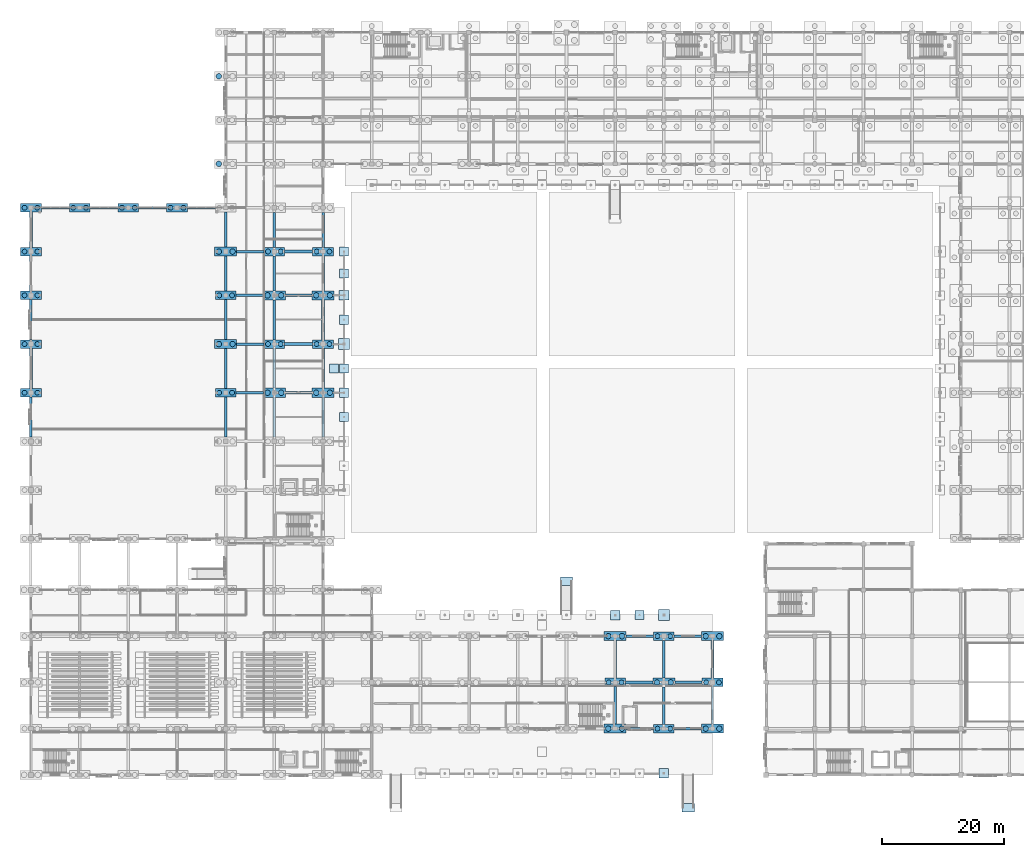
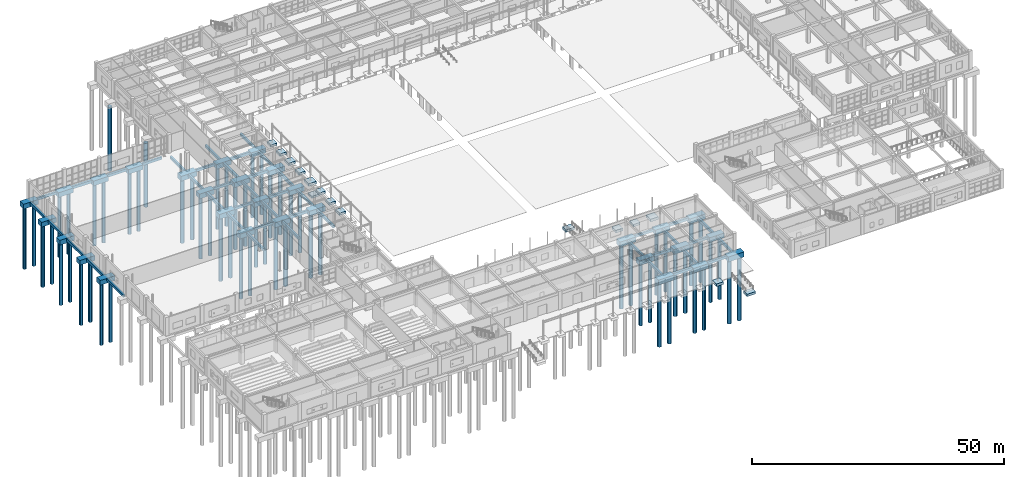
# One storey, part 3 of 166: 88 footings, 60 piles.
"""IFC4 building model written with IfcOpenShell, lengths in metres."""

from ifc_helpers import new_model, si_unit, direction, frame, origin, origin_2d, place, context, subcontext, project, spatial, rectangle, circle, extrude, material, material_profile, profile_set, type_object, element, save


model = new_model("IFC4")

# Units and contexts
model_context = context("Model", 3, precision=1e-05, world=origin(), true_north=direction((0.0, 1.0)))
body_context = subcontext(model_context, "Body", "Model", "MODEL_VIEW")
ifc_project = project(units=[si_unit("LENGTHUNIT", "METRE"), si_unit("AREAUNIT", "SQUARE_METRE"), si_unit("VOLUMEUNIT", "CUBIC_METRE"), si_unit("PLANEANGLEUNIT", "RADIAN"), si_unit("MASSUNIT", "GRAM", prefix="KILO")], contexts=[model_context])

# Site, building, storey
site_placement = place(None, origin())
site = spatial("IfcSite", under=ifc_project, at=site_placement, CompositionType="ELEMENT")
building_placement = place(site_placement, origin())
building = spatial("IfcBuilding", under=site, at=building_placement, Name="Kharva Crest Polytechnic", CompositionType="ELEMENT")
storey_placement = place(building_placement, origin())
storey = spatial("IfcBuildingStorey", under=building, at=storey_placement, Name="L00", CompositionType="ELEMENT", Elevation=0.0)

# Footings
ifc_material = material(Name="Concrete C35/45", Category="concrete")
footing_type_1 = type_object("IfcFootingType", Name="FTG-GB-400X600", PredefinedType="FOOTING_BEAM", material=ifc_material)
for number, where, z_axis, x_axis, name in (
    (1, (107.949951171875, 7.60009765625, -1.005126953125), (0.0, 0.0, 1.0), (1.0, 0.0, 0.0), "L00 Ground Tie Beam B/14-15"),
    (2, (100.050048828125, 22.800048828125, -1.005126953125), (0.0, 0.0, 1.0), (1.0, 0.0, 0.0), "L00 Ground Tie Beam D/13-14"),
    (3, (35.949951171875, 62.800048828125, -1.005126953125), (0.0, 0.0, 1.0), (1.0, 0.0, 0.0), "L00 Ground Tie Beam J/5-6"),
    (4, (36.050048828125, 70.800048828125, -1.005126953125), (0.0, 0.0, 1.0), (1.0, 0.0, 0.0), "L00 Ground Tie Beam K/5-6"),
    (5, (35.949951171875, 78.800048828125, -1.005126953125), (0.0, 0.0, 1.0), (1.0, 0.0, 0.0), "L00 Ground Tie Beam L/5-6"),
    (6, (36.050048828125, 86.0, -1.005126953125), (0.0, 0.0, 1.0), (1.0, 0.0, 0.0), "L00 Ground Tie Beam M/5-6"),
):
    element("IfcFooting", number, at=place(storey_placement, frame(where, z_axis=z_axis, x_axis=x_axis)), inside=storey, type_object=footing_type_1, Name=name, PredefinedType="FOOTING_BEAM", context=body_context, shape_type="SweptSolid", body=[
        extrude(rectangle(XDim=4.5, YDim=0.39990234375, at=origin_2d()), origin(), (0.0, 0.0, 1.0), 0.60009765625),
    ])
for number, where, z_axis, x_axis, name in (
    (7, (4.0, 93.199951171875, -1.005126953125), (0.0, 0.0, 1.0), (1.0, 0.0, 0.0), "L00 Ground Tie Beam N/1-2"),
    (8, (28.0, 93.199951171875, -1.005126953125), (0.0, 0.0, 1.0), (1.0, 0.0, 0.0), "L00 Ground Tie Beam N/4-5"),
):
    element("IfcFooting", number, at=place(storey_placement, frame(where, z_axis=z_axis, x_axis=x_axis)), inside=storey, type_object=footing_type_1, Name=name, PredefinedType="FOOTING_BEAM", context=body_context, shape_type="SweptSolid", body=[
        extrude(rectangle(XDim=4.60009765625, YDim=0.39990234375, at=origin_2d()), origin(), (0.0, 0.0, 1.0), 0.60009765625),
    ])
footing_1_placement = place(storey_placement, frame((0.0, 58.800048828125, -1.005126953125), z_axis=(0.0, 0.0, 1.0), x_axis=(0.0, 1.0, 0.0)))
element("IfcFooting", 9, at=footing_1_placement, inside=storey, type_object=footing_type_1, Name="L00 Ground Tie Beam 1/H-J", PredefinedType="FOOTING_BEAM", context=body_context, shape_type="SweptSolid", body=[
    extrude(rectangle(XDim=6.60009765625, YDim=0.39990234375, at=origin_2d()), origin(), (0.0, 0.0, 1.0), 0.60009765625),
])
footing_2_placement = place(storey_placement, frame((0.0, 82.39990234375, -1.005126953125), z_axis=(0.0, 0.0, 1.0), x_axis=(0.0, 1.0, 0.0)))
element("IfcFooting", 10, at=footing_2_placement, inside=storey, type_object=footing_type_1, Name="L00 Ground Tie Beam 1/L-M", PredefinedType="FOOTING_BEAM", context=body_context, shape_type="SweptSolid", body=[
    extrude(rectangle(XDim=5.800048828125, YDim=0.39990234375, at=origin_2d()), origin(), (0.0, 0.0, 1.0), 0.60009765625),
])
footing_3_placement = place(storey_placement, frame((32.0, 66.77490234375, -1.005126953125), z_axis=(0.0, 0.0, 1.0), x_axis=(0.0, 1.0, 0.0)))
element("IfcFooting", 11, at=footing_3_placement, inside=storey, type_object=footing_type_1, Name="L00 Ground Tie Beam 5/J-K", PredefinedType="FOOTING_BEAM", context=body_context, shape_type="SweptSolid", body=[
    extrude(rectangle(XDim=6.550048828125, YDim=0.39990234375, at=origin_2d()), origin(), (0.0, 0.0, 1.0), 0.60009765625),
])
footing_4_placement = place(storey_placement, frame((32.0, 89.625, -1.005126953125), z_axis=(0.0, 0.0, 1.0), x_axis=(0.0, 1.0, 0.0)))
element("IfcFooting", 12, at=footing_4_placement, inside=storey, type_object=footing_type_1, Name="L00 Ground Tie Beam 5/M-N", PredefinedType="FOOTING_BEAM", context=body_context, shape_type="SweptSolid", body=[
    extrude(rectangle(XDim=5.75, YDim=0.39990234375, at=origin_2d()), origin(), (0.0, 0.0, 1.0), 0.60009765625),
])
for number, where, z_axis, x_axis, name in (
    (13, (40.0, 74.77490234375, -1.005126953125), (0.0, 0.0, 1.0), (0.0, 1.0, 0.0), "L00 Ground Tie Beam 6/K-L"),
    (14, (48.0, 66.824951171875, -1.005126953125), (0.0, 0.0, 1.0), (0.0, 1.0, 0.0), "L00 Ground Tie Beam 7/J-K"),
):
    element("IfcFooting", number, at=place(storey_placement, frame(where, z_axis=z_axis, x_axis=x_axis)), inside=storey, type_object=footing_type_1, Name=name, PredefinedType="FOOTING_BEAM", context=body_context, shape_type="SweptSolid", body=[
        extrude(rectangle(XDim=6.550048828125, YDim=0.39990234375, at=origin_2d()), origin(), (0.0, 0.0, 1.0), 0.60009765625),
    ])
footing_5_placement = place(storey_placement, frame((48.0, 89.574951171875, -1.005126953125), z_axis=(0.0, 0.0, 1.0), x_axis=(0.0, 1.0, 0.0)))
element("IfcFooting", 15, at=footing_5_placement, inside=storey, type_object=footing_type_1, Name="L00 Ground Tie Beam 7/M-N", PredefinedType="FOOTING_BEAM", context=body_context, shape_type="SweptSolid", body=[
    extrude(rectangle(XDim=5.75, YDim=0.39990234375, at=origin_2d()), origin(), (0.0, 0.0, 1.0), 0.60009765625),
])
for number, where, z_axis, x_axis, name in (
    (16, (96.0, 18.97509765625, -1.005126953125), (0.0, 0.0, 1.0), (0.0, 1.0, 0.0), "L00 Ground Tie Beam 13/C-D"),
    (17, (112.0, 11.425048828125, -1.005126953125), (0.0, 0.0, 1.0), (0.0, 1.0, 0.0), "L00 Ground Tie Beam 15/B-C"),
):
    element("IfcFooting", number, at=place(storey_placement, frame(where, z_axis=z_axis, x_axis=x_axis)), inside=storey, type_object=footing_type_1, Name=name, PredefinedType="FOOTING_BEAM", context=body_context, shape_type="SweptSolid", body=[
        extrude(rectangle(XDim=6.14990234375, YDim=0.39990234375, at=origin_2d()), origin(), (0.0, 0.0, 1.0), 0.60009765625),
    ])
footing_type_2 = type_object("IfcFootingType", Name="FTG-GB-420X620", PredefinedType="FOOTING_BEAM", material=ifc_material)
for number, where, z_axis, x_axis, name in (
    (18, (100.050048828125, 7.60009765625, -1.025146484375), (0.0, 0.0, 1.0), (1.0, 0.0, 0.0), "L00 Ground Tie Beam B/13-14"),
    (19, (108.050048828125, 15.199951171875, -1.025146484375), (0.0, 0.0, 1.0), (1.0, 0.0, 0.0), "L00 Ground Tie Beam C/14-15"),
):
    element("IfcFooting", number, at=place(storey_placement, frame(where, z_axis=z_axis, x_axis=x_axis)), inside=storey, type_object=footing_type_2, Name=name, PredefinedType="FOOTING_BEAM", context=body_context, shape_type="SweptSolid", body=[
        extrude(rectangle(XDim=4.5, YDim=0.419921875, at=origin_2d()), origin(), (0.0, 0.0, 1.0), 0.6201171875),
    ])
footing_6_placement = place(storey_placement, frame((20.0, 93.199951171875, -1.025146484375), z_axis=(0.0, 0.0, 1.0), x_axis=(1.0, 0.0, 0.0)))
element("IfcFooting", 20, at=footing_6_placement, inside=storey, type_object=footing_type_2, Name="L00 Ground Tie Beam N/3-4", PredefinedType="FOOTING_BEAM", context=body_context, shape_type="SweptSolid", body=[
    extrude(rectangle(XDim=4.60009765625, YDim=0.419921875, at=origin_2d()), origin(), (0.0, 0.0, 1.0), 0.6201171875),
])
footing_7_placement = place(storey_placement, frame((0.0, 74.800048828125, -1.025146484375), z_axis=(0.0, 0.0, 1.0), x_axis=(0.0, 1.0, 0.0)))
element("IfcFooting", 21, at=footing_7_placement, inside=storey, type_object=footing_type_2, Name="L00 Ground Tie Beam 1/K-L", PredefinedType="FOOTING_BEAM", context=body_context, shape_type="SweptSolid", body=[
    extrude(rectangle(XDim=6.60009765625, YDim=0.419921875, at=origin_2d()), origin(), (0.0, 0.0, 1.0), 0.6201171875),
])
footing_8_placement = place(storey_placement, frame((32.0, 58.824951171875, -1.025146484375), z_axis=(0.0, 0.0, 1.0), x_axis=(0.0, 1.0, 0.0)))
element("IfcFooting", 22, at=footing_8_placement, inside=storey, type_object=footing_type_2, Name="L00 Ground Tie Beam 5/H-J", PredefinedType="FOOTING_BEAM", context=body_context, shape_type="SweptSolid", body=[
    extrude(rectangle(XDim=6.550048828125, YDim=0.419921875, at=origin_2d()), origin(), (0.0, 0.0, 1.0), 0.6201171875),
])
footing_9_placement = place(storey_placement, frame((32.0, 82.375, -1.025146484375), z_axis=(0.0, 0.0, 1.0), x_axis=(0.0, 1.0, 0.0)))
element("IfcFooting", 23, at=footing_9_placement, inside=storey, type_object=footing_type_2, Name="L00 Ground Tie Beam 5/L-M", PredefinedType="FOOTING_BEAM", context=body_context, shape_type="SweptSolid", body=[
    extrude(rectangle(XDim=5.75, YDim=0.419921875, at=origin_2d()), origin(), (0.0, 0.0, 1.0), 0.6201171875),
])
footing_10_placement = place(storey_placement, frame((40.0, 66.824951171875, -1.025146484375), z_axis=(0.0, 0.0, 1.0), x_axis=(0.0, 1.0, 0.0)))
element("IfcFooting", 24, at=footing_10_placement, inside=storey, type_object=footing_type_2, Name="L00 Ground Tie Beam 6/J-K", PredefinedType="FOOTING_BEAM", context=body_context, shape_type="SweptSolid", body=[
    extrude(rectangle(XDim=6.550048828125, YDim=0.419921875, at=origin_2d()), origin(), (0.0, 0.0, 1.0), 0.6201171875),
])
footing_11_placement = place(storey_placement, frame((40.0, 89.574951171875, -1.025146484375), z_axis=(0.0, 0.0, 1.0), x_axis=(0.0, 1.0, 0.0)))
element("IfcFooting", 25, at=footing_11_placement, inside=storey, type_object=footing_type_2, Name="L00 Ground Tie Beam 6/M-N", PredefinedType="FOOTING_BEAM", context=body_context, shape_type="SweptSolid", body=[
    extrude(rectangle(XDim=5.75, YDim=0.419921875, at=origin_2d()), origin(), (0.0, 0.0, 1.0), 0.6201171875),
])
footing_12_placement = place(storey_placement, frame((48.0, 58.77490234375, -1.025146484375), z_axis=(0.0, 0.0, 1.0), x_axis=(0.0, 1.0, 0.0)))
element("IfcFooting", 26, at=footing_12_placement, inside=storey, type_object=footing_type_2, Name="L00 Ground Tie Beam 7/H-J", PredefinedType="FOOTING_BEAM", context=body_context, shape_type="SweptSolid", body=[
    extrude(rectangle(XDim=6.550048828125, YDim=0.419921875, at=origin_2d()), origin(), (0.0, 0.0, 1.0), 0.6201171875),
])
footing_13_placement = place(storey_placement, frame((48.0, 82.425048828125, -1.025146484375), z_axis=(0.0, 0.0, 1.0), x_axis=(0.0, 1.0, 0.0)))
element("IfcFooting", 27, at=footing_13_placement, inside=storey, type_object=footing_type_2, Name="L00 Ground Tie Beam 7/L-M", PredefinedType="FOOTING_BEAM", context=body_context, shape_type="SweptSolid", body=[
    extrude(rectangle(XDim=5.75, YDim=0.419921875, at=origin_2d()), origin(), (0.0, 0.0, 1.0), 0.6201171875),
])
for number, where, z_axis, x_axis, name in (
    (28, (96.0, 11.425048828125, -1.025146484375), (0.0, 0.0, 1.0), (0.0, 1.0, 0.0), "L00 Ground Tie Beam 13/B-C"),
    (29, (104.0, 19.02490234375, -1.025146484375), (0.0, 0.0, 1.0), (0.0, 1.0, 0.0), "L00 Ground Tie Beam 14/C-D"),
):
    element("IfcFooting", number, at=place(storey_placement, frame(where, z_axis=z_axis, x_axis=x_axis)), inside=storey, type_object=footing_type_2, Name=name, PredefinedType="FOOTING_BEAM", context=body_context, shape_type="SweptSolid", body=[
        extrude(rectangle(XDim=6.14990234375, YDim=0.419921875, at=origin_2d()), origin(), (0.0, 0.0, 1.0), 0.6201171875),
    ])
footing_type_3 = type_object("IfcFootingType", Name="FTG-GB-450X650", PredefinedType="FOOTING_BEAM", material=ifc_material)
for number, where, z_axis, x_axis, name in (
    (30, (99.949951171875, 15.199951171875, -1.054931640625), (0.0, 0.0, 1.0), (1.0, 0.0, 0.0), "L00 Ground Tie Beam C/13-14"),
    (31, (107.949951171875, 22.800048828125, -1.054931640625), (0.0, 0.0, 1.0), (1.0, 0.0, 0.0), "L00 Ground Tie Beam D/14-15"),
):
    element("IfcFooting", number, at=place(storey_placement, frame(where, z_axis=z_axis, x_axis=x_axis)), inside=storey, type_object=footing_type_3, Name=name, PredefinedType="FOOTING_BEAM", context=body_context, shape_type="SweptSolid", body=[
        extrude(rectangle(XDim=4.5, YDim=0.449951171875, at=origin_2d()), origin(), (0.0, 0.0, 1.0), 0.64990234375),
    ])
footing_14_placement = place(storey_placement, frame((44.0, 62.800048828125, -1.054931640625), z_axis=(0.0, 0.0, 1.0), x_axis=(1.0, 0.0, 0.0)))
element("IfcFooting", 32, at=footing_14_placement, inside=storey, type_object=footing_type_3, Name="L00 Ground Tie Beam J/6-7", PredefinedType="FOOTING_BEAM", context=body_context, shape_type="SweptSolid", body=[
    extrude(rectangle(XDim=4.39990234375, YDim=0.449951171875, at=origin_2d()), origin(), (0.0, 0.0, 1.0), 0.64990234375),
])
footing_15_placement = place(storey_placement, frame((44.0, 70.800048828125, -1.054931640625), z_axis=(0.0, 0.0, 1.0), x_axis=(1.0, 0.0, 0.0)))
element("IfcFooting", 33, at=footing_15_placement, inside=storey, type_object=footing_type_3, Name="L00 Ground Tie Beam K/6-7", PredefinedType="FOOTING_BEAM", context=body_context, shape_type="SweptSolid", body=[
    extrude(rectangle(XDim=4.60009765625, YDim=0.449951171875, at=origin_2d()), origin(), (0.0, 0.0, 1.0), 0.64990234375),
])
footing_16_placement = place(storey_placement, frame((44.0, 78.800048828125, -1.054931640625), z_axis=(0.0, 0.0, 1.0), x_axis=(1.0, 0.0, 0.0)))
element("IfcFooting", 34, at=footing_16_placement, inside=storey, type_object=footing_type_3, Name="L00 Ground Tie Beam L/6-7", PredefinedType="FOOTING_BEAM", context=body_context, shape_type="SweptSolid", body=[
    extrude(rectangle(XDim=4.39990234375, YDim=0.449951171875, at=origin_2d()), origin(), (0.0, 0.0, 1.0), 0.64990234375),
])
for number, where, z_axis, x_axis, name in (
    (35, (44.0, 86.0, -1.054931640625), (0.0, 0.0, 1.0), (1.0, 0.0, 0.0), "L00 Ground Tie Beam M/6-7"),
    (36, (12.0, 93.199951171875, -1.054931640625), (0.0, 0.0, 1.0), (1.0, 0.0, 0.0), "L00 Ground Tie Beam N/2-3"),
):
    element("IfcFooting", number, at=place(storey_placement, frame(where, z_axis=z_axis, x_axis=x_axis)), inside=storey, type_object=footing_type_3, Name=name, PredefinedType="FOOTING_BEAM", context=body_context, shape_type="SweptSolid", body=[
        extrude(rectangle(XDim=4.60009765625, YDim=0.449951171875, at=origin_2d()), origin(), (0.0, 0.0, 1.0), 0.64990234375),
    ])
footing_17_placement = place(storey_placement, frame((0.0, 66.800048828125, -1.054931640625), z_axis=(0.0, 0.0, 1.0), x_axis=(0.0, 1.0, 0.0)))
element("IfcFooting", 37, at=footing_17_placement, inside=storey, type_object=footing_type_3, Name="L00 Ground Tie Beam 1/J-K", PredefinedType="FOOTING_BEAM", context=body_context, shape_type="SweptSolid", body=[
    extrude(rectangle(XDim=6.60009765625, YDim=0.449951171875, at=origin_2d()), origin(), (0.0, 0.0, 1.0), 0.64990234375),
])
footing_18_placement = place(storey_placement, frame((0.0, 89.60009765625, -1.054931640625), z_axis=(0.0, 0.0, 1.0), x_axis=(0.0, 1.0, 0.0)))
element("IfcFooting", 38, at=footing_18_placement, inside=storey, type_object=footing_type_3, Name="L00 Ground Tie Beam 1/M-N", PredefinedType="FOOTING_BEAM", context=body_context, shape_type="SweptSolid", body=[
    extrude(rectangle(XDim=5.800048828125, YDim=0.449951171875, at=origin_2d()), origin(), (0.0, 0.0, 1.0), 0.64990234375),
])
for number, where, z_axis, x_axis, name in (
    (39, (32.0, 74.824951171875, -1.054931640625), (0.0, 0.0, 1.0), (0.0, 1.0, 0.0), "L00 Ground Tie Beam 5/K-L"),
    (40, (40.0, 58.77490234375, -1.054931640625), (0.0, 0.0, 1.0), (0.0, 1.0, 0.0), "L00 Ground Tie Beam 6/H-J"),
):
    element("IfcFooting", number, at=place(storey_placement, frame(where, z_axis=z_axis, x_axis=x_axis)), inside=storey, type_object=footing_type_3, Name=name, PredefinedType="FOOTING_BEAM", context=body_context, shape_type="SweptSolid", body=[
        extrude(rectangle(XDim=6.550048828125, YDim=0.449951171875, at=origin_2d()), origin(), (0.0, 0.0, 1.0), 0.64990234375),
    ])
footing_19_placement = place(storey_placement, frame((40.0, 82.425048828125, -1.054931640625), z_axis=(0.0, 0.0, 1.0), x_axis=(0.0, 1.0, 0.0)))
element("IfcFooting", 41, at=footing_19_placement, inside=storey, type_object=footing_type_3, Name="L00 Ground Tie Beam 6/L-M", PredefinedType="FOOTING_BEAM", context=body_context, shape_type="SweptSolid", body=[
    extrude(rectangle(XDim=5.75, YDim=0.449951171875, at=origin_2d()), origin(), (0.0, 0.0, 1.0), 0.64990234375),
])
footing_20_placement = place(storey_placement, frame((48.0, 74.77490234375, -1.054931640625), z_axis=(0.0, 0.0, 1.0), x_axis=(0.0, 1.0, 0.0)))
element("IfcFooting", 42, at=footing_20_placement, inside=storey, type_object=footing_type_3, Name="L00 Ground Tie Beam 7/K-L", PredefinedType="FOOTING_BEAM", context=body_context, shape_type="SweptSolid", body=[
    extrude(rectangle(XDim=6.550048828125, YDim=0.449951171875, at=origin_2d()), origin(), (0.0, 0.0, 1.0), 0.64990234375),
])
for number, where, z_axis, x_axis, name in (
    (43, (104.0, 11.375, -1.054931640625), (0.0, 0.0, 1.0), (0.0, 1.0, 0.0), "L00 Ground Tie Beam 14/B-C"),
    (44, (112.0, 18.97509765625, -1.054931640625), (0.0, 0.0, 1.0), (0.0, 1.0, 0.0), "L00 Ground Tie Beam 15/C-D"),
):
    element("IfcFooting", number, at=place(storey_placement, frame(where, z_axis=z_axis, x_axis=x_axis)), inside=storey, type_object=footing_type_3, Name=name, PredefinedType="FOOTING_BEAM", context=body_context, shape_type="SweptSolid", body=[
        extrude(rectangle(XDim=6.14990234375, YDim=0.449951171875, at=origin_2d()), origin(), (0.0, 0.0, 1.0), 0.64990234375),
    ])
footing_type_4 = type_object("IfcFootingType", Name="FTG-PAD-1500X1500", PredefinedType="PAD_FOOTING", material=ifc_material)
for number, where, z_axis, x_axis, name in (
    (45, (51.449951171875, 62.800048828125, -0.5498046875), (0.0, 0.0, 1.0), (1.0, 0.0, 0.0), "L00 Colonnade Pad Footing VW03"),
    (46, (51.449951171875, 86.0, -0.5498046875), (0.0, 0.0, 1.0), (1.0, 0.0, 0.0), "L00 Colonnade Pad Footing VW06"),
    (47, (51.449951171875, 58.800048828125, -0.5498046875), (0.0, 0.0, 1.0), (1.0, 0.0, 0.0), "L00 Colonnade Mid Pad Footing VWM02"),
    (48, (51.449951171875, 66.800048828125, -0.5498046875), (0.0, 0.0, 1.0), (1.0, 0.0, 0.0), "L00 Colonnade Mid Pad Footing VWM03"),
    (49, (51.449951171875, 74.800048828125, -0.5498046875), (0.0, 0.0, 1.0), (1.0, 0.0, 0.0), "L00 Colonnade Mid Pad Footing VWM04"),
    (50, (51.449951171875, 82.39990234375, -0.5498046875), (0.0, 0.0, 1.0), (1.0, 0.0, 0.0), "L00 Colonnade Mid Pad Footing VWM05"),
    (51, (100.0, 26.25, -0.5498046875), (0.0, 0.0, 1.0), (1.0, 0.0, 0.0), "L00 Colonnade Mid Pad Footing VSM05"),
):
    element("IfcFooting", number, at=place(storey_placement, frame(where, z_axis=z_axis, x_axis=x_axis)), inside=storey, type_object=footing_type_4, Name=name, PredefinedType="PAD_FOOTING", context=body_context, shape_type="SweptSolid", body=[
        extrude(rectangle(XDim=1.5, YDim=1.5, at=origin_2d()), origin(), (0.0, 0.0, 1.0), 0.550048828125),
    ])
footing_21_placement = place(storey_placement, frame((49.800048828125, 66.800048828125, -0.68994140625), z_axis=(0.0, 0.0, 1.0), x_axis=(1.0, 0.0, 0.0)))
element("IfcFooting", 52, at=footing_21_placement, inside=storey, type_object=footing_type_4, Name="L00 Outdoor Slab Mid Pad VER_W_L00", PredefinedType="PAD_FOOTING", context=body_context, shape_type="SweptSolid", body=[
    extrude(rectangle(XDim=1.5, YDim=1.5, at=origin_2d()), origin(), (0.0, 0.0, 1.0), 0.5),
])
footing_type_5 = type_object("IfcFootingType", Name="FTG-PAD-1600X1600", PredefinedType="PAD_FOOTING", material=ifc_material)
for number, where, z_axis, x_axis, name in (
    (53, (51.449951171875, 78.800048828125, -0.60009765625), (0.0, 0.0, 1.0), (1.0, 0.0, 0.0), "L00 Colonnade Pad Footing VW05"),
    (54, (96.0, 26.25, -0.60009765625), (0.0, 0.0, 1.0), (1.0, 0.0, 0.0), "L00 Colonnade Pad Footing VS05"),
    (55, (104.0, 0.25, -0.60009765625), (0.0, 0.0, 1.0), (1.0, 0.0, 0.0), "L00 Colonnade Pad Footing AS06"),
):
    element("IfcFooting", number, at=place(storey_placement, frame(where, z_axis=z_axis, x_axis=x_axis)), inside=storey, type_object=footing_type_5, Name=name, PredefinedType="PAD_FOOTING", context=body_context, shape_type="SweptSolid", body=[
        extrude(rectangle(XDim=1.60009765625, YDim=1.60009765625, at=origin_2d()), origin(), (0.0, 0.0, 1.0), 0.60009765625),
    ])
footing_type_6 = type_object("IfcFootingType", Name="FTG-PAD-1800X1800", PredefinedType="PAD_FOOTING", material=ifc_material)
for number, where, z_axis, x_axis, name in (
    (56, (51.449951171875, 70.800048828125, -0.64990234375), (0.0, 0.0, 1.0), (1.0, 0.0, 0.0), "L00 Colonnade Pad Footing VW04"),
    (57, (104.0, 26.25, -0.64990234375), (0.0, 0.0, 1.0), (1.0, 0.0, 0.0), "L00 Colonnade Pad Footing VS06"),
):
    element("IfcFooting", number, at=place(storey_placement, frame(where, z_axis=z_axis, x_axis=x_axis)), inside=storey, type_object=footing_type_6, Name=name, PredefinedType="PAD_FOOTING", context=body_context, shape_type="SweptSolid", body=[
        extrude(rectangle(XDim=1.800048828125, YDim=1.800048828125, at=origin_2d()), origin(), (0.0, 0.0, 1.0), 0.64990234375),
    ])
footing_type_7 = type_object("IfcFootingType", Name="FTG-PAD-2000X1400", PredefinedType="PAD_FOOTING", material=ifc_material)
for number, where, z_axis, x_axis, name in (
    (58, (108.0, -5.39990234375, -1.0), (0.0, 0.0, 1.0), (1.0, 0.0, 0.0), "L00 Ramp Toe Pad Footing RMP-S-E"),
    (59, (88.0, 31.800048828125, -1.0), (0.0, 0.0, 1.0), (1.0, 0.0, 0.0), "L00 Ramp Toe Pad Footing RMP-CT-S"),
):
    element("IfcFooting", number, at=place(storey_placement, frame(where, z_axis=z_axis, x_axis=x_axis)), inside=storey, type_object=footing_type_7, Name=name, PredefinedType="PAD_FOOTING", context=body_context, shape_type="SweptSolid", body=[
        extrude(rectangle(XDim=2.0, YDim=1.39990234375, at=origin_2d()), origin(), (0.0, 0.0, 1.0), 0.550048828125),
    ])
footing_type_8 = type_object("IfcFootingType", Name="FTG-PC-3400X1400", PredefinedType="PILE_CAP", material=ifc_material)
for number, where, z_axis, x_axis, name in (
    (60, (0.0, 62.800048828125, -1.554931640625), (0.0, 0.0, 1.0), (1.0, 0.0, 0.0), "L00 Pile Cap 1/J"),
    (61, (0.0, 70.800048828125, -1.554931640625), (0.0, 0.0, 1.0), (1.0, 0.0, 0.0), "L00 Pile Cap 1/K"),
    (62, (0.0, 78.800048828125, -1.554931640625), (0.0, 0.0, 1.0), (1.0, 0.0, 0.0), "L00 Pile Cap 1/L"),
    (63, (0.0, 86.0, -1.554931640625), (0.0, 0.0, 1.0), (1.0, 0.0, 0.0), "L00 Pile Cap 1/M"),
    (64, (0.0, 93.199951171875, -1.554931640625), (0.0, 0.0, 1.0), (1.0, 0.0, 0.0), "L00 Pile Cap 1/N"),
    (65, (96.0, 15.199951171875, -1.554931640625), (0.0, 0.0, 1.0), (1.0, 0.0, 0.0), "L00 Pile Cap 13/C"),
    (66, (104.0, 7.60009765625, -1.554931640625), (0.0, 0.0, 1.0), (1.0, 0.0, 0.0), "L00 Pile Cap 14/B"),
    (67, (104.0, 22.800048828125, -1.554931640625), (0.0, 0.0, 1.0), (1.0, 0.0, 0.0), "L00 Pile Cap 14/D"),
    (68, (112.0, 15.199951171875, -1.554931640625), (0.0, 0.0, 1.0), (1.0, 0.0, 0.0), "L00 Pile Cap 15/C"),
    (69, (8.0, 93.199951171875, -1.554931640625), (0.0, 0.0, 1.0), (1.0, 0.0, 0.0), "L00 Pile Cap 2/N"),
    (70, (16.0, 93.199951171875, -1.554931640625), (0.0, 0.0, 1.0), (1.0, 0.0, 0.0), "L00 Pile Cap 3/N"),
    (71, (24.0, 93.199951171875, -1.554931640625), (0.0, 0.0, 1.0), (1.0, 0.0, 0.0), "L00 Pile Cap 4/N"),
    (72, (32.0, 62.800048828125, -1.554931640625), (0.0, 0.0, 1.0), (1.0, 0.0, 0.0), "L00 Pile Cap 5/J"),
    (73, (32.0, 78.800048828125, -1.554931640625), (0.0, 0.0, 1.0), (1.0, 0.0, 0.0), "L00 Pile Cap 5/L"),
    (74, (40.0, 70.800048828125, -1.554931640625), (0.0, 0.0, 1.0), (1.0, 0.0, 0.0), "L00 Pile Cap 6/K"),
    (75, (40.0, 86.0, -1.554931640625), (0.0, 0.0, 1.0), (1.0, 0.0, 0.0), "L00 Pile Cap 6/M"),
    (76, (48.0, 70.800048828125, -1.554931640625), (0.0, 0.0, 1.0), (1.0, 0.0, 0.0), "L00 Pile Cap 7/K"),
    (77, (48.0, 86.0, -1.554931640625), (0.0, 0.0, 1.0), (1.0, 0.0, 0.0), "L00 Pile Cap 7/M"),
):
    element("IfcFooting", number, at=place(storey_placement, frame(where, z_axis=z_axis, x_axis=x_axis)), inside=storey, type_object=footing_type_8, Name=name, PredefinedType="PILE_CAP", context=body_context, shape_type="SweptSolid", body=[
        extrude(rectangle(XDim=3.39990234375, YDim=1.39990234375, at=origin_2d()), origin(), (0.0, 0.0, 1.0), 1.14990234375),
    ])
footing_type_9 = type_object("IfcFootingType", Name="FTG-PC-3600X1500", PredefinedType="PILE_CAP", material=ifc_material)
for number, where, z_axis, x_axis, name in (
    (78, (96.0, 7.60009765625, -1.60498046875), (0.0, 0.0, 1.0), (1.0, 0.0, 0.0), "L00 Pile Cap 13/B"),
    (79, (96.0, 22.800048828125, -1.60498046875), (0.0, 0.0, 1.0), (1.0, 0.0, 0.0), "L00 Pile Cap 13/D"),
    (80, (104.0, 15.199951171875, -1.60498046875), (0.0, 0.0, 1.0), (1.0, 0.0, 0.0), "L00 Pile Cap 14/C"),
    (81, (112.0, 7.60009765625, -1.60498046875), (0.0, 0.0, 1.0), (1.0, 0.0, 0.0), "L00 Pile Cap 15/B"),
    (82, (112.0, 22.800048828125, -1.60498046875), (0.0, 0.0, 1.0), (1.0, 0.0, 0.0), "L00 Pile Cap 15/D"),
    (83, (32.0, 70.800048828125, -1.60498046875), (0.0, 0.0, 1.0), (1.0, 0.0, 0.0), "L00 Pile Cap 5/K"),
    (84, (32.0, 86.0, -1.60498046875), (0.0, 0.0, 1.0), (1.0, 0.0, 0.0), "L00 Pile Cap 5/M"),
    (85, (40.0, 62.800048828125, -1.60498046875), (0.0, 0.0, 1.0), (1.0, 0.0, 0.0), "L00 Pile Cap 6/J"),
    (86, (40.0, 78.800048828125, -1.60498046875), (0.0, 0.0, 1.0), (1.0, 0.0, 0.0), "L00 Pile Cap 6/L"),
    (87, (48.0, 62.800048828125, -1.60498046875), (0.0, 0.0, 1.0), (1.0, 0.0, 0.0), "L00 Pile Cap 7/J"),
    (88, (48.0, 78.800048828125, -1.60498046875), (0.0, 0.0, 1.0), (1.0, 0.0, 0.0), "L00 Pile Cap 7/L"),
):
    element("IfcFooting", number, at=place(storey_placement, frame(where, z_axis=z_axis, x_axis=x_axis)), inside=storey, type_object=footing_type_9, Name=name, PredefinedType="PILE_CAP", context=body_context, shape_type="SweptSolid", body=[
        extrude(rectangle(XDim=3.60009765625, YDim=1.5, at=origin_2d()), origin(), (0.0, 0.0, 1.0), 1.199951171875),
    ])

# Piles
ifc_material_profile_1 = material_profile(ifc_material, circle(Radius=0.39990234375, at=origin_2d()), Name="DIA 800")
ifc_profile_set_1 = profile_set([ifc_material_profile_1], Name="Concrete C35/45")
pile_type_1 = type_object("IfcPileType", Name="PILE-BORED-800", PredefinedType="BORED", material=ifc_profile_set_1)
for number, where, z_axis, x_axis, name in (
    (89, (-1.050048828125, 62.800048828125, -1.455078125), (0.0, 0.0, -1.0), (1.0, 0.0, 0.0), "L00 Bored Pile 1/J-1"),
    (90, (1.050048828125, 62.800048828125, -1.455078125), (0.0, 0.0, -1.0), (1.0, 0.0, 0.0), "L00 Bored Pile 1/J-2"),
    (91, (-1.050048828125, 70.800048828125, -1.455078125), (0.0, 0.0, -1.0), (1.0, 0.0, 0.0), "L00 Bored Pile 1/K-1"),
    (92, (1.050048828125, 70.800048828125, -1.455078125), (0.0, 0.0, -1.0), (1.0, 0.0, 0.0), "L00 Bored Pile 1/K-2"),
    (93, (-1.050048828125, 78.800048828125, -1.455078125), (0.0, 0.0, -1.0), (1.0, 0.0, 0.0), "L00 Bored Pile 1/L-1"),
    (94, (1.050048828125, 78.800048828125, -1.455078125), (0.0, 0.0, -1.0), (1.0, 0.0, 0.0), "L00 Bored Pile 1/L-2"),
    (95, (-1.050048828125, 86.0, -1.455078125), (0.0, 0.0, -1.0), (1.0, 0.0, 0.0), "L00 Bored Pile 1/M-1"),
    (96, (1.050048828125, 86.0, -1.455078125), (0.0, 0.0, -1.0), (1.0, 0.0, 0.0), "L00 Bored Pile 1/M-2"),
    (97, (-1.050048828125, 93.199951171875, -1.455078125), (0.0, 0.0, -1.0), (1.0, 0.0, 0.0), "L00 Bored Pile 1/N-1"),
    (98, (1.050048828125, 93.199951171875, -1.455078125), (0.0, 0.0, -1.0), (1.0, 0.0, 0.0), "L00 Bored Pile 1/N-2"),
    (99, (94.949951171875, 15.199951171875, -1.455078125), (0.0, 0.0, -1.0), (1.0, 0.0, 0.0), "L00 Bored Pile 13/C-1"),
    (100, (97.050048828125, 15.199951171875, -1.455078125), (0.0, 0.0, -1.0), (1.0, 0.0, 0.0), "L00 Bored Pile 13/C-2"),
    (101, (102.949951171875, 7.60009765625, -1.455078125), (0.0, 0.0, -1.0), (1.0, 0.0, 0.0), "L00 Bored Pile 14/B-1"),
    (102, (105.050048828125, 7.60009765625, -1.455078125), (0.0, 0.0, -1.0), (1.0, 0.0, 0.0), "L00 Bored Pile 14/B-2"),
    (103, (102.949951171875, 22.800048828125, -1.455078125), (0.0, 0.0, -1.0), (1.0, 0.0, 0.0), "L00 Bored Pile 14/D-1"),
    (104, (105.050048828125, 22.800048828125, -1.455078125), (0.0, 0.0, -1.0), (1.0, 0.0, 0.0), "L00 Bored Pile 14/D-2"),
    (105, (110.949951171875, 15.199951171875, -1.455078125), (0.0, 0.0, -1.0), (1.0, 0.0, 0.0), "L00 Bored Pile 15/C-1"),
    (106, (113.050048828125, 15.199951171875, -1.455078125), (0.0, 0.0, -1.0), (1.0, 0.0, 0.0), "L00 Bored Pile 15/C-2"),
    (107, (6.949951171875, 93.199951171875, -1.455078125), (0.0, 0.0, -1.0), (1.0, 0.0, 0.0), "L00 Bored Pile 2/N-1"),
    (108, (9.050048828125, 93.199951171875, -1.455078125), (0.0, 0.0, -1.0), (1.0, 0.0, 0.0), "L00 Bored Pile 2/N-2"),
    (109, (14.949951171875, 93.199951171875, -1.455078125), (0.0, 0.0, -1.0), (1.0, 0.0, 0.0), "L00 Bored Pile 3/N-1"),
    (110, (17.050048828125, 93.199951171875, -1.455078125), (0.0, 0.0, -1.0), (1.0, 0.0, 0.0), "L00 Bored Pile 3/N-2"),
    (111, (22.949951171875, 93.199951171875, -1.455078125), (0.0, 0.0, -1.0), (1.0, 0.0, 0.0), "L00 Bored Pile 4/N-1"),
    (112, (25.050048828125, 93.199951171875, -1.455078125), (0.0, 0.0, -1.0), (1.0, 0.0, 0.0), "L00 Bored Pile 4/N-2"),
    (113, (30.949951171875, 62.800048828125, -1.455078125), (0.0, 0.0, -1.0), (1.0, 0.0, 0.0), "L00 Bored Pile 5/J-1"),
    (114, (33.050048828125, 62.800048828125, -1.455078125), (0.0, 0.0, -1.0), (1.0, 0.0, 0.0), "L00 Bored Pile 5/J-2"),
    (115, (30.949951171875, 78.800048828125, -1.455078125), (0.0, 0.0, -1.0), (1.0, 0.0, 0.0), "L00 Bored Pile 5/L-1"),
    (116, (33.050048828125, 78.800048828125, -1.455078125), (0.0, 0.0, -1.0), (1.0, 0.0, 0.0), "L00 Bored Pile 5/L-2"),
    (117, (38.949951171875, 70.800048828125, -1.455078125), (0.0, 0.0, -1.0), (1.0, 0.0, 0.0), "L00 Bored Pile 6/K-1"),
    (118, (41.050048828125, 70.800048828125, -1.455078125), (0.0, 0.0, -1.0), (1.0, 0.0, 0.0), "L00 Bored Pile 6/K-2"),
    (119, (38.949951171875, 86.0, -1.455078125), (0.0, 0.0, -1.0), (1.0, 0.0, 0.0), "L00 Bored Pile 6/M-1"),
    (120, (41.050048828125, 86.0, -1.455078125), (0.0, 0.0, -1.0), (1.0, 0.0, 0.0), "L00 Bored Pile 6/M-2"),
    (121, (46.949951171875, 70.800048828125, -1.455078125), (0.0, 0.0, -1.0), (1.0, 0.0, 0.0), "L00 Bored Pile 7/K-1"),
    (122, (49.050048828125, 70.800048828125, -1.455078125), (0.0, 0.0, -1.0), (1.0, 0.0, 0.0), "L00 Bored Pile 7/K-2"),
    (123, (46.949951171875, 86.0, -1.455078125), (0.0, 0.0, -1.0), (1.0, 0.0, 0.0), "L00 Bored Pile 7/M-1"),
    (124, (49.050048828125, 86.0, -1.455078125), (0.0, 0.0, -1.0), (1.0, 0.0, 0.0), "L00 Bored Pile 7/M-2"),
):
    element("IfcPile", number, at=place(storey_placement, frame(where, z_axis=z_axis, x_axis=x_axis)), inside=storey, type_object=pile_type_1, Name=name, PredefinedType="BORED", context=body_context, shape_type="SweptSolid", body=[
        extrude(circle(Radius=0.39990234375, at=origin_2d()), origin(), (0.0, 0.0, 1.0), 15.044921875),
    ])
ifc_material_profile_2 = material_profile(ifc_material, circle(Radius=0.449951171875, at=origin_2d()), Name="DIA 900")
ifc_profile_set_2 = profile_set([ifc_material_profile_2], Name="Concrete C35/45")
pile_type_2 = type_object("IfcPileType", Name="PILE-BORED-900", PredefinedType="BORED", material=ifc_profile_set_2)
for number, where, z_axis, x_axis, name in (
    (125, (94.875, 7.60009765625, -1.5048828125), (0.0, 0.0, -1.0), (1.0, 0.0, 0.0), "L00 Bored Pile 13/B-1"),
    (126, (97.125, 7.60009765625, -1.5048828125), (0.0, 0.0, -1.0), (1.0, 0.0, 0.0), "L00 Bored Pile 13/B-2"),
    (127, (94.875, 22.800048828125, -1.5048828125), (0.0, 0.0, -1.0), (1.0, 0.0, 0.0), "L00 Bored Pile 13/D-1"),
    (128, (97.125, 22.800048828125, -1.5048828125), (0.0, 0.0, -1.0), (1.0, 0.0, 0.0), "L00 Bored Pile 13/D-2"),
    (129, (102.875, 15.199951171875, -1.5048828125), (0.0, 0.0, -1.0), (1.0, 0.0, 0.0), "L00 Bored Pile 14/C-1"),
    (130, (105.125, 15.199951171875, -1.5048828125), (0.0, 0.0, -1.0), (1.0, 0.0, 0.0), "L00 Bored Pile 14/C-2"),
    (131, (110.875, 7.60009765625, -1.5048828125), (0.0, 0.0, -1.0), (1.0, 0.0, 0.0), "L00 Bored Pile 15/B-1"),
    (132, (113.125, 7.60009765625, -1.5048828125), (0.0, 0.0, -1.0), (1.0, 0.0, 0.0), "L00 Bored Pile 15/B-2"),
    (133, (110.875, 22.800048828125, -1.5048828125), (0.0, 0.0, -1.0), (1.0, 0.0, 0.0), "L00 Bored Pile 15/D-1"),
    (134, (113.125, 22.800048828125, -1.5048828125), (0.0, 0.0, -1.0), (1.0, 0.0, 0.0), "L00 Bored Pile 15/D-2"),
    (135, (30.875, 70.800048828125, -1.5048828125), (0.0, 0.0, -1.0), (1.0, 0.0, 0.0), "L00 Bored Pile 5/K-1"),
    (136, (33.125, 70.800048828125, -1.5048828125), (0.0, 0.0, -1.0), (1.0, 0.0, 0.0), "L00 Bored Pile 5/K-2"),
    (137, (30.875, 86.0, -1.5048828125), (0.0, 0.0, -1.0), (1.0, 0.0, 0.0), "L00 Bored Pile 5/M-1"),
    (138, (33.125, 86.0, -1.5048828125), (0.0, 0.0, -1.0), (1.0, 0.0, 0.0), "L00 Bored Pile 5/M-2"),
    (139, (30.875, 100.39990234375, -1.5048828125), (0.0, 0.0, -1.0), (1.0, 0.0, 0.0), "L00 Bored Pile 5/P-1"),
    (140, (30.875, 114.800048828125, -1.5048828125), (0.0, 0.0, -1.0), (1.0, 0.0, 0.0), "L00 Bored Pile 5/R-1"),
    (141, (38.875, 62.800048828125, -1.5048828125), (0.0, 0.0, -1.0), (1.0, 0.0, 0.0), "L00 Bored Pile 6/J-1"),
    (142, (41.125, 62.800048828125, -1.5048828125), (0.0, 0.0, -1.0), (1.0, 0.0, 0.0), "L00 Bored Pile 6/J-2"),
    (143, (38.875, 78.800048828125, -1.5048828125), (0.0, 0.0, -1.0), (1.0, 0.0, 0.0), "L00 Bored Pile 6/L-1"),
    (144, (41.125, 78.800048828125, -1.5048828125), (0.0, 0.0, -1.0), (1.0, 0.0, 0.0), "L00 Bored Pile 6/L-2"),
    (145, (46.875, 62.800048828125, -1.5048828125), (0.0, 0.0, -1.0), (1.0, 0.0, 0.0), "L00 Bored Pile 7/J-1"),
    (146, (49.125, 62.800048828125, -1.5048828125), (0.0, 0.0, -1.0), (1.0, 0.0, 0.0), "L00 Bored Pile 7/J-2"),
    (147, (46.875, 78.800048828125, -1.5048828125), (0.0, 0.0, -1.0), (1.0, 0.0, 0.0), "L00 Bored Pile 7/L-1"),
    (148, (49.125, 78.800048828125, -1.5048828125), (0.0, 0.0, -1.0), (1.0, 0.0, 0.0), "L00 Bored Pile 7/L-2"),
):
    element("IfcPile", number, at=place(storey_placement, frame(where, z_axis=z_axis, x_axis=x_axis)), inside=storey, type_object=pile_type_2, Name=name, PredefinedType="BORED", context=body_context, shape_type="SweptSolid", body=[
        extrude(circle(Radius=0.449951171875, at=origin_2d()), origin(), (0.0, 0.0, 1.0), 15.4951171875),
    ])

save(model, "model.ifc")
